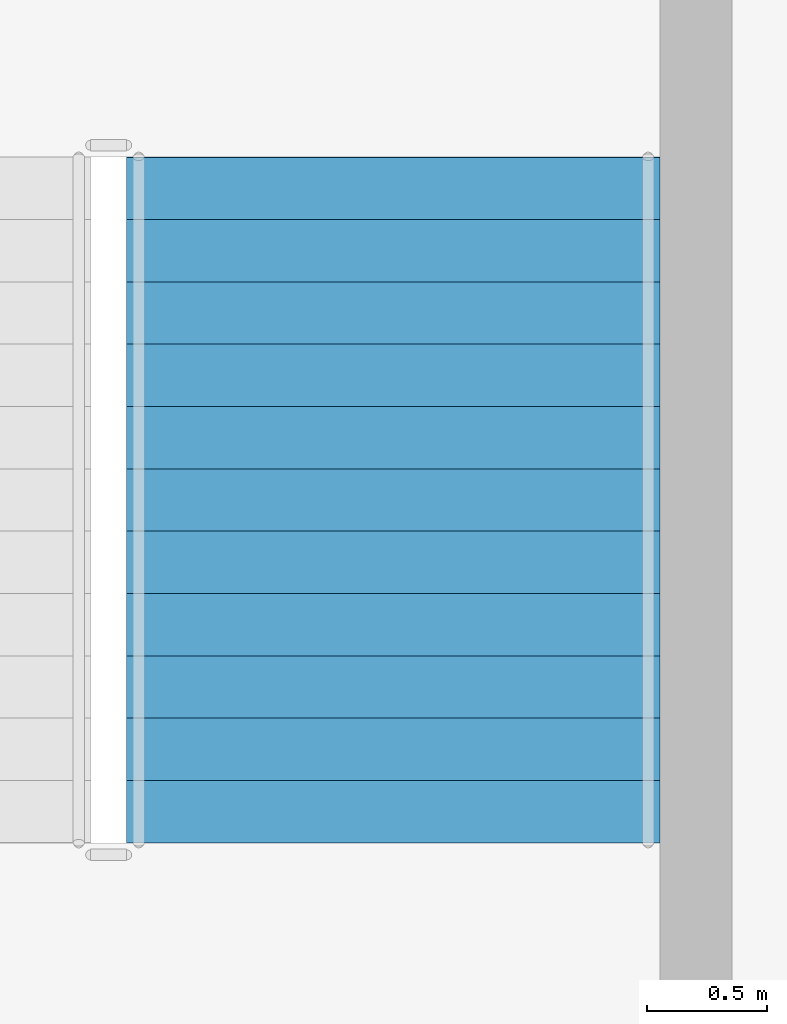
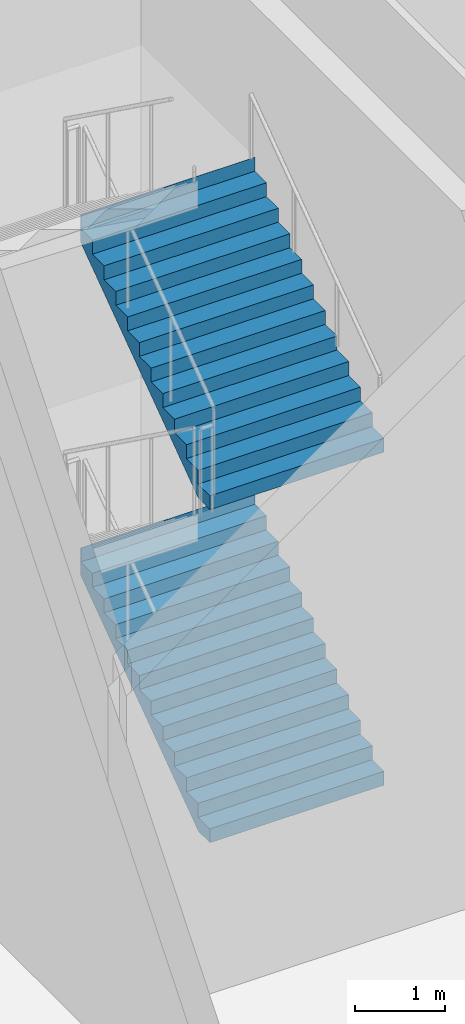
# One storey, part 24 of 35: 2 stair flights, 1 element without a shape of its own.
"""IFC4 building model written with IfcOpenShell, lengths in metres."""

from ifc_helpers import new_model, si_unit, direction, frame, origin, place, context, subcontext, project, spatial, triangles, material, type_object, element, aggregate, save


model = new_model("IFC4")

# Units and contexts
model_context = context("Model", 3, precision=1e-05, world=origin(), true_north=direction((0.0, 1.0)))
body_context = subcontext(model_context, "Body", "Model", "MODEL_VIEW")
ifc_project = project(units=[si_unit("LENGTHUNIT", "METRE"), si_unit("AREAUNIT", "SQUARE_METRE"), si_unit("VOLUMEUNIT", "CUBIC_METRE"), si_unit("PLANEANGLEUNIT", "RADIAN"), si_unit("MASSUNIT", "GRAM", prefix="KILO")], contexts=[model_context])

# Site, building, storey
site_placement = place(None, origin())
site = spatial("IfcSite", under=ifc_project, at=site_placement, CompositionType="ELEMENT")
building_placement = place(site_placement, origin())
building = spatial("IfcBuilding", under=site, at=building_placement, Name="Sahrelin Media Tower", CompositionType="ELEMENT")
storey_placement = place(building_placement, frame((0.0, 0.0, 8.0)))
storey = spatial("IfcBuildingStorey", under=building, at=storey_placement, Name="L01", CompositionType="ELEMENT", Elevation=8.0)

# Stair, stair flights
ifc_material = material(Name="Concrete C40/50", Category="concrete")
stair_type = type_object("IfcStairType", Name="Podium stair 2225", PredefinedType="HALF_TURN_STAIR", material=ifc_material)
stair_placement = place(storey_placement, origin())
stair = element("IfcStair", 1, at=stair_placement, inside=storey, type_object=stair_type, Name="L01 Podium stair PS2", PredefinedType="HALF_TURN_STAIR")
stair_flight_type = type_object("IfcStairFlightType", Name="Stair flight 2225", PredefinedType="STRAIGHT", material=ifc_material)
stair_flight_1_placement = place(storey_placement, frame((-9.46240234375, 30.625, 0.0), z_axis=(0.0, 0.0, 1.0), x_axis=(0.0, 1.0, 0.0)))
stair_flight_1 = element("IfcStairFlight", 2, at=stair_flight_1_placement, type_object=stair_flight_type, Name="PS2 flight 1", NumberOfRisers=12, NumberOfTreads=11, PredefinedType="STRAIGHT", RiserHeight=0.1875, TreadLength=0.26, context=body_context, shape_type="Tessellation", body=[
    triangles([(0.25634765625, 1.112548828125, 0.0), (0.25634765625, 0.794677734375, 0.0), (0.25634765625, 0.476806640625, 0.0), (0.25634765625, 0.158935546875, 0.0), (0.25634765625, -0.158935546875, 0.0), (0.25634765625, -0.476806640625, 0.0), (0.25634765625, -0.794677734375, 0.0), (0.25634765625, -1.112548828125, 0.0), (2.860107421875, 1.112548828125, 1.877685546875), (2.860107421875, 0.794677734375, 1.877685546875), (2.860107421875, 0.476806640625, 1.877685546875), (2.860107421875, 0.158935546875, 1.877685546875), (2.860107421875, -0.158935546875, 1.877685546875), (2.860107421875, -0.476806640625, 1.877685546875), (2.860107421875, -0.794677734375, 1.877685546875), (2.860107421875, -1.112548828125, 1.877685546875), (2.860107421875, 1.112548828125, 2.25), (2.860107421875, 0.794677734375, 2.25), (2.860107421875, 0.476806640625, 2.25), (2.860107421875, 0.158935546875, 2.25), (2.860107421875, -0.158935546875, 2.25), (2.860107421875, -0.476806640625, 2.25), (2.860107421875, -0.794677734375, 2.25), (2.860107421875, -1.112548828125, 2.25), (2.85791015625, 1.112548828125, 2.25), (2.85791015625, 0.794677734375, 2.25), (2.85791015625, 0.476806640625, 2.25), (2.85791015625, 0.158935546875, 2.25), (2.85791015625, -0.158935546875, 2.25), (2.85791015625, -0.476806640625, 2.25), (2.85791015625, -0.794677734375, 2.25), (2.85791015625, -1.112548828125, 2.25), (2.85791015625, 1.112548828125, 2.0625), (2.85791015625, 0.794677734375, 2.0625), (2.85791015625, 0.476806640625, 2.0625), (2.85791015625, 0.158935546875, 2.0625), (2.85791015625, -0.158935546875, 2.0625), (2.85791015625, -0.476806640625, 2.0625), (2.85791015625, -0.794677734375, 2.0625), (2.85791015625, -1.112548828125, 2.0625), (2.60009765625, 1.112548828125, 2.0625), (2.60009765625, 0.794677734375, 2.0625), (2.60009765625, 0.476806640625, 2.0625), (2.60009765625, 0.158935546875, 2.0625), (2.60009765625, -0.158935546875, 2.0625), (2.60009765625, -0.476806640625, 2.0625), (2.60009765625, -0.794677734375, 2.0625), (2.60009765625, -1.112548828125, 2.0625), (2.60009765625, 1.112548828125, 1.875), (2.60009765625, 0.794677734375, 1.875), (2.60009765625, 0.476806640625, 1.875), (2.60009765625, 0.158935546875, 1.875), (2.60009765625, -0.158935546875, 1.875), (2.60009765625, -0.476806640625, 1.875), (2.60009765625, -0.794677734375, 1.875), (2.60009765625, -1.112548828125, 1.875), (2.340087890625, 1.112548828125, 1.875), (2.340087890625, 0.794677734375, 1.875), (2.340087890625, 0.476806640625, 1.875), (2.340087890625, 0.158935546875, 1.875), (2.340087890625, -0.158935546875, 1.875), (2.340087890625, -0.476806640625, 1.875), (2.340087890625, -0.794677734375, 1.875), (2.340087890625, -1.112548828125, 1.875), (2.340087890625, 1.112548828125, 1.6875), (2.340087890625, 0.794677734375, 1.6875), (2.340087890625, 0.476806640625, 1.6875), (2.340087890625, 0.158935546875, 1.6875), (2.340087890625, -0.158935546875, 1.6875), (2.340087890625, -0.476806640625, 1.6875), (2.340087890625, -0.794677734375, 1.6875), (2.340087890625, -1.112548828125, 1.6875), (2.080078125, 1.112548828125, 1.6875), (2.080078125, 0.794677734375, 1.6875), (2.080078125, 0.476806640625, 1.6875), (2.080078125, 0.158935546875, 1.6875), (2.080078125, -0.158935546875, 1.6875), (2.080078125, -0.476806640625, 1.6875), (2.080078125, -0.794677734375, 1.6875), (2.080078125, -1.112548828125, 1.6875), (2.080078125, 1.112548828125, 1.5), (2.080078125, 0.794677734375, 1.5), (2.080078125, 0.476806640625, 1.5), (2.080078125, 0.158935546875, 1.5), (2.080078125, -0.158935546875, 1.5), (2.080078125, -0.476806640625, 1.5), (2.080078125, -0.794677734375, 1.5), (2.080078125, -1.112548828125, 1.5), (1.820068359375, 1.112548828125, 1.5), (1.820068359375, 0.794677734375, 1.5), (1.820068359375, 0.476806640625, 1.5), (1.820068359375, 0.158935546875, 1.5), (1.820068359375, -0.158935546875, 1.5), (1.820068359375, -0.476806640625, 1.5), (1.820068359375, -0.794677734375, 1.5), (1.820068359375, -1.112548828125, 1.5), (1.820068359375, 1.112548828125, 1.3125), (1.820068359375, 0.794677734375, 1.3125), (1.820068359375, 0.476806640625, 1.3125), (1.820068359375, 0.158935546875, 1.3125), (1.820068359375, -0.158935546875, 1.3125), (1.820068359375, -0.476806640625, 1.3125), (1.820068359375, -0.794677734375, 1.3125), (1.820068359375, -1.112548828125, 1.3125), (1.56005859375, 1.112548828125, 1.3125), (1.56005859375, 0.794677734375, 1.3125), (1.56005859375, 0.476806640625, 1.3125), (1.56005859375, 0.158935546875, 1.3125), (1.56005859375, -0.158935546875, 1.3125), (1.56005859375, -0.476806640625, 1.3125), (1.56005859375, -0.794677734375, 1.3125), (1.56005859375, -1.112548828125, 1.3125), (1.56005859375, 1.112548828125, 1.125), (1.56005859375, 0.794677734375, 1.125), (1.56005859375, 0.476806640625, 1.125), (1.56005859375, 0.158935546875, 1.125), (1.56005859375, -0.158935546875, 1.125), (1.56005859375, -0.476806640625, 1.125), (1.56005859375, -0.794677734375, 1.125), (1.56005859375, -1.112548828125, 1.125), (1.300048828125, 1.112548828125, 1.125), (1.300048828125, 0.794677734375, 1.125), (1.300048828125, 0.476806640625, 1.125), (1.300048828125, 0.158935546875, 1.125), (1.300048828125, -0.158935546875, 1.125), (1.300048828125, -0.476806640625, 1.125), (1.300048828125, -0.794677734375, 1.125), (1.300048828125, -1.112548828125, 1.125), (1.300048828125, 1.112548828125, 0.9375), (1.300048828125, 0.794677734375, 0.9375), (1.300048828125, 0.476806640625, 0.9375), (1.300048828125, 0.158935546875, 0.9375), (1.300048828125, -0.158935546875, 0.9375), (1.300048828125, -0.476806640625, 0.9375), (1.300048828125, -0.794677734375, 0.9375), (1.300048828125, -1.112548828125, 0.9375), (1.0400390625, 1.112548828125, 0.9375), (1.0400390625, 0.794677734375, 0.9375), (1.0400390625, 0.476806640625, 0.9375), (1.0400390625, 0.158935546875, 0.9375), (1.0400390625, -0.158935546875, 0.9375), (1.0400390625, -0.476806640625, 0.9375), (1.0400390625, -0.794677734375, 0.9375), (1.0400390625, -1.112548828125, 0.9375), (1.0400390625, 1.112548828125, 0.75), (1.0400390625, 0.794677734375, 0.75), (1.0400390625, 0.476806640625, 0.75), (1.0400390625, 0.158935546875, 0.75), (1.0400390625, -0.158935546875, 0.75), (1.0400390625, -0.476806640625, 0.75), (1.0400390625, -0.794677734375, 0.75), (1.0400390625, -1.112548828125, 0.75), (0.780029296875, 1.112548828125, 0.75), (0.780029296875, 0.794677734375, 0.75), (0.780029296875, 0.476806640625, 0.75), (0.780029296875, 0.158935546875, 0.75), (0.780029296875, -0.158935546875, 0.75), (0.780029296875, -0.476806640625, 0.75), (0.780029296875, -0.794677734375, 0.75), (0.780029296875, -1.112548828125, 0.75), (0.780029296875, 1.112548828125, 0.5625), (0.780029296875, 0.794677734375, 0.5625), (0.780029296875, 0.476806640625, 0.5625), (0.780029296875, 0.158935546875, 0.5625), (0.780029296875, -0.158935546875, 0.5625), (0.780029296875, -0.476806640625, 0.5625), (0.780029296875, -0.794677734375, 0.5625), (0.780029296875, -1.112548828125, 0.5625), (0.52001953125, 1.112548828125, 0.5625), (0.52001953125, 0.794677734375, 0.5625), (0.52001953125, 0.476806640625, 0.5625), (0.52001953125, 0.158935546875, 0.5625), (0.52001953125, -0.158935546875, 0.5625), (0.52001953125, -0.476806640625, 0.5625), (0.52001953125, -0.794677734375, 0.5625), (0.52001953125, -1.112548828125, 0.5625), (0.52001953125, 1.112548828125, 0.375), (0.52001953125, 0.794677734375, 0.375), (0.52001953125, 0.476806640625, 0.375), (0.52001953125, 0.158935546875, 0.375), (0.52001953125, -0.158935546875, 0.375), (0.52001953125, -0.476806640625, 0.375), (0.52001953125, -0.794677734375, 0.375), (0.52001953125, -1.112548828125, 0.375), (0.260009765625, 1.112548828125, 0.375), (0.260009765625, 0.794677734375, 0.375), (0.260009765625, 0.476806640625, 0.375), (0.260009765625, 0.158935546875, 0.375), (0.260009765625, -0.158935546875, 0.375), (0.260009765625, -0.476806640625, 0.375), (0.260009765625, -0.794677734375, 0.375), (0.260009765625, -1.112548828125, 0.375), (0.260009765625, 1.112548828125, 0.1875), (0.260009765625, 0.794677734375, 0.1875), (0.260009765625, 0.476806640625, 0.1875), (0.260009765625, 0.158935546875, 0.1875), (0.260009765625, -0.158935546875, 0.1875), (0.260009765625, -0.476806640625, 0.1875), (0.260009765625, -0.794677734375, 0.1875), (0.260009765625, -1.112548828125, 0.1875), (0.0, 1.112548828125, 0.1875), (0.0, 0.794677734375, 0.1875), (0.0, 0.476806640625, 0.1875), (0.0, 0.158935546875, 0.1875), (0.0, -0.158935546875, 0.1875), (0.0, -0.476806640625, 0.1875), (0.0, -0.794677734375, 0.1875), (0.0, -1.112548828125, 0.1875), (0.0, 1.112548828125, 0.0), (0.0, 0.794677734375, 0.0), (0.0, 0.476806640625, 0.0), (0.0, 0.158935546875, 0.0), (0.0, -0.158935546875, 0.0), (0.0, -0.476806640625, 0.0), (0.0, -0.794677734375, 0.0), (0.0, -1.112548828125, 0.0)], [[1, 9, 10], [1, 10, 2], [2, 10, 11], [2, 11, 3], [3, 11, 12], [3, 12, 4], [4, 12, 13], [4, 13, 5], [5, 13, 14], [5, 14, 6], [6, 14, 15], [6, 15, 7], [7, 15, 16], [7, 16, 8], [9, 17, 18], [9, 18, 10], [10, 18, 19], [10, 19, 11], [11, 19, 20], [11, 20, 12], [12, 20, 21], [12, 21, 13], [13, 21, 22], [13, 22, 14], [14, 22, 23], [14, 23, 15], [15, 23, 24], [15, 24, 16], [17, 25, 26], [17, 26, 18], [18, 26, 27], [18, 27, 19], [19, 27, 28], [19, 28, 20], [20, 28, 29], [20, 29, 21], [21, 29, 30], [21, 30, 22], [22, 30, 31], [22, 31, 23], [23, 31, 32], [23, 32, 24], [25, 33, 34], [25, 34, 26], [26, 34, 35], [26, 35, 27], [27, 35, 36], [27, 36, 28], [28, 36, 37], [28, 37, 29], [29, 37, 38], [29, 38, 30], [30, 38, 39], [30, 39, 31], [31, 39, 40], [31, 40, 32], [33, 41, 42], [33, 42, 34], [34, 42, 43], [34, 43, 35], [35, 43, 44], [35, 44, 36], [36, 44, 45], [36, 45, 37], [37, 45, 46], [37, 46, 38], [38, 46, 47], [38, 47, 39], [39, 47, 48], [39, 48, 40], [41, 49, 50], [41, 50, 42], [42, 50, 51], [42, 51, 43], [43, 51, 52], [43, 52, 44], [44, 52, 53], [44, 53, 45], [45, 53, 54], [45, 54, 46], [46, 54, 55], [46, 55, 47], [47, 55, 56], [47, 56, 48], [49, 57, 58], [49, 58, 50], [50, 58, 59], [50, 59, 51], [51, 59, 60], [51, 60, 52], [52, 60, 61], [52, 61, 53], [53, 61, 62], [53, 62, 54], [54, 62, 63], [54, 63, 55], [55, 63, 64], [55, 64, 56], [57, 65, 66], [57, 66, 58], [58, 66, 67], [58, 67, 59], [59, 67, 68], [59, 68, 60], [60, 68, 69], [60, 69, 61], [61, 69, 70], [61, 70, 62], [62, 70, 71], [62, 71, 63], [63, 71, 72], [63, 72, 64], [65, 73, 74], [65, 74, 66], [66, 74, 75], [66, 75, 67], [67, 75, 76], [67, 76, 68], [68, 76, 77], [68, 77, 69], [69, 77, 78], [69, 78, 70], [70, 78, 79], [70, 79, 71], [71, 79, 80], [71, 80, 72], [73, 81, 82], [73, 82, 74], [74, 82, 83], [74, 83, 75], [75, 83, 84], [75, 84, 76], [76, 84, 85], [76, 85, 77], [77, 85, 86], [77, 86, 78], [78, 86, 87], [78, 87, 79], [79, 87, 88], [79, 88, 80], [81, 89, 90], [81, 90, 82], [82, 90, 91], [82, 91, 83], [83, 91, 92], [83, 92, 84], [84, 92, 93], [84, 93, 85], [85, 93, 94], [85, 94, 86], [86, 94, 95], [86, 95, 87], [87, 95, 96], [87, 96, 88], [89, 97, 98], [89, 98, 90], [90, 98, 99], [90, 99, 91], [91, 99, 100], [91, 100, 92], [92, 100, 101], [92, 101, 93], [93, 101, 102], [93, 102, 94], [94, 102, 103], [94, 103, 95], [95, 103, 104], [95, 104, 96], [97, 105, 106], [97, 106, 98], [98, 106, 107], [98, 107, 99], [99, 107, 108], [99, 108, 100], [100, 108, 109], [100, 109, 101], [101, 109, 110], [101, 110, 102], [102, 110, 111], [102, 111, 103], [103, 111, 112], [103, 112, 104], [105, 113, 114], [105, 114, 106], [106, 114, 115], [106, 115, 107], [107, 115, 116], [107, 116, 108], [108, 116, 117], [108, 117, 109], [109, 117, 118], [109, 118, 110], [110, 118, 119], [110, 119, 111], [111, 119, 120], [111, 120, 112], [113, 121, 122], [113, 122, 114], [114, 122, 123], [114, 123, 115], [115, 123, 124], [115, 124, 116], [116, 124, 125], [116, 125, 117], [117, 125, 126], [117, 126, 118], [118, 126, 127], [118, 127, 119], [119, 127, 128], [119, 128, 120], [121, 129, 130], [121, 130, 122], [122, 130, 131], [122, 131, 123], [123, 131, 132], [123, 132, 124], [124, 132, 133], [124, 133, 125], [125, 133, 134], [125, 134, 126], [126, 134, 135], [126, 135, 127], [127, 135, 136], [127, 136, 128], [129, 137, 138], [129, 138, 130], [130, 138, 139], [130, 139, 131], [131, 139, 140], [131, 140, 132], [132, 140, 141], [132, 141, 133], [133, 141, 142], [133, 142, 134], [134, 142, 143], [134, 143, 135], [135, 143, 144], [135, 144, 136], [137, 145, 146], [137, 146, 138], [138, 146, 147], [138, 147, 139], [139, 147, 148], [139, 148, 140], [140, 148, 149], [140, 149, 141], [141, 149, 150], [141, 150, 142], [142, 150, 151], [142, 151, 143], [143, 151, 152], [143, 152, 144], [145, 153, 154], [145, 154, 146], [146, 154, 155], [146, 155, 147], [147, 155, 156], [147, 156, 148], [148, 156, 157], [148, 157, 149], [149, 157, 158], [149, 158, 150], [150, 158, 159], [150, 159, 151], [151, 159, 160], [151, 160, 152], [153, 161, 162], [153, 162, 154], [154, 162, 163], [154, 163, 155], [155, 163, 164], [155, 164, 156], [156, 164, 165], [156, 165, 157], [157, 165, 166], [157, 166, 158], [158, 166, 167], [158, 167, 159], [159, 167, 168], [159, 168, 160], [161, 169, 170], [161, 170, 162], [162, 170, 171], [162, 171, 163], [163, 171, 172], [163, 172, 164], [164, 172, 173], [164, 173, 165], [165, 173, 174], [165, 174, 166], [166, 174, 175], [166, 175, 167], [167, 175, 176], [167, 176, 168], [169, 177, 178], [169, 178, 170], [170, 178, 179], [170, 179, 171], [171, 179, 180], [171, 180, 172], [172, 180, 181], [172, 181, 173], [173, 181, 182], [173, 182, 174], [174, 182, 183], [174, 183, 175], [175, 183, 184], [175, 184, 176], [177, 185, 186], [177, 186, 178], [178, 186, 187], [178, 187, 179], [179, 187, 188], [179, 188, 180], [180, 188, 189], [180, 189, 181], [181, 189, 190], [181, 190, 182], [182, 190, 191], [182, 191, 183], [183, 191, 192], [183, 192, 184], [185, 193, 194], [185, 194, 186], [186, 194, 195], [186, 195, 187], [187, 195, 196], [187, 196, 188], [188, 196, 197], [188, 197, 189], [189, 197, 198], [189, 198, 190], [190, 198, 199], [190, 199, 191], [191, 199, 200], [191, 200, 192], [193, 201, 202], [193, 202, 194], [194, 202, 203], [194, 203, 195], [195, 203, 204], [195, 204, 196], [196, 204, 205], [196, 205, 197], [197, 205, 206], [197, 206, 198], [198, 206, 207], [198, 207, 199], [199, 207, 208], [199, 208, 200], [201, 209, 210], [201, 210, 202], [202, 210, 211], [202, 211, 203], [203, 211, 212], [203, 212, 204], [204, 212, 213], [204, 213, 205], [205, 213, 214], [205, 214, 206], [206, 214, 215], [206, 215, 207], [207, 215, 216], [207, 216, 208], [209, 1, 2], [209, 2, 210], [210, 2, 3], [210, 3, 211], [211, 3, 4], [211, 4, 212], [212, 4, 5], [212, 5, 213], [213, 5, 6], [213, 6, 214], [214, 6, 7], [214, 7, 215], [215, 7, 8], [215, 8, 216], [8, 208, 216], [1, 209, 201], [200, 184, 192], [193, 185, 177], [184, 168, 176], [177, 169, 161], [168, 152, 160], [161, 153, 145], [152, 136, 144], [145, 137, 129], [136, 120, 128], [129, 121, 113], [120, 104, 112], [113, 105, 97], [104, 88, 96], [97, 89, 81], [88, 72, 80], [81, 73, 65], [72, 56, 64], [65, 57, 49], [56, 40, 48], [49, 41, 33], [40, 24, 32], [33, 25, 17], [8, 200, 208], [1, 201, 193], [16, 56, 72], [9, 65, 49], [40, 16, 24], [33, 17, 9], [184, 200, 8], [177, 1, 193], [56, 16, 40], [49, 33, 9], [168, 184, 8], [161, 1, 177], [72, 88, 16], [65, 9, 81], [152, 168, 8], [145, 1, 161], [104, 16, 88], [97, 81, 9], [136, 152, 8], [129, 1, 145], [120, 16, 104], [113, 97, 9], [120, 136, 8], [113, 1, 129], [8, 16, 120], [1, 113, 9]], closed=True),
])
stair_flight_2_placement = place(storey_placement, frame((-9.46240234375, 30.625, 4.5), z_axis=(0.0, 0.0, 1.0), x_axis=(0.0, 1.0, 0.0)))
stair_flight_2 = element("IfcStairFlight", 3, at=stair_flight_2_placement, type_object=stair_flight_type, Name="PS2 flight 3", NumberOfRisers=12, NumberOfTreads=11, PredefinedType="STRAIGHT", RiserHeight=0.1875, TreadLength=0.26, context=body_context, shape_type="Tessellation", body=[
    triangles([(0.25634765625, 1.112548828125, 0.0), (0.25634765625, 0.794677734375, 0.0), (0.25634765625, 0.476806640625, 0.0), (0.25634765625, 0.158935546875, 0.0), (0.25634765625, -0.158935546875, 0.0), (0.25634765625, -0.476806640625, 0.0), (0.25634765625, -0.794677734375, 0.0), (0.25634765625, -1.112548828125, 0.0), (2.860107421875, 1.112548828125, 1.877685546875), (2.860107421875, 0.794677734375, 1.877685546875), (2.860107421875, 0.476806640625, 1.877685546875), (2.860107421875, 0.158935546875, 1.877685546875), (2.860107421875, -0.158935546875, 1.877685546875), (2.860107421875, -0.476806640625, 1.877685546875), (2.860107421875, -0.794677734375, 1.877685546875), (2.860107421875, -1.112548828125, 1.877685546875), (2.860107421875, 1.112548828125, 2.25), (2.860107421875, 0.794677734375, 2.25), (2.860107421875, 0.476806640625, 2.25), (2.860107421875, 0.158935546875, 2.25), (2.860107421875, -0.158935546875, 2.25), (2.860107421875, -0.476806640625, 2.25), (2.860107421875, -0.794677734375, 2.25), (2.860107421875, -1.112548828125, 2.25), (2.85791015625, 1.112548828125, 2.25), (2.85791015625, 0.794677734375, 2.25), (2.85791015625, 0.476806640625, 2.25), (2.85791015625, 0.158935546875, 2.25), (2.85791015625, -0.158935546875, 2.25), (2.85791015625, -0.476806640625, 2.25), (2.85791015625, -0.794677734375, 2.25), (2.85791015625, -1.112548828125, 2.25), (2.85791015625, 1.112548828125, 2.0625), (2.85791015625, 0.794677734375, 2.0625), (2.85791015625, 0.476806640625, 2.0625), (2.85791015625, 0.158935546875, 2.0625), (2.85791015625, -0.158935546875, 2.0625), (2.85791015625, -0.476806640625, 2.0625), (2.85791015625, -0.794677734375, 2.0625), (2.85791015625, -1.112548828125, 2.0625), (2.60009765625, 1.112548828125, 2.0625), (2.60009765625, 0.794677734375, 2.0625), (2.60009765625, 0.476806640625, 2.0625), (2.60009765625, 0.158935546875, 2.0625), (2.60009765625, -0.158935546875, 2.0625), (2.60009765625, -0.476806640625, 2.0625), (2.60009765625, -0.794677734375, 2.0625), (2.60009765625, -1.112548828125, 2.0625), (2.60009765625, 1.112548828125, 1.875), (2.60009765625, 0.794677734375, 1.875), (2.60009765625, 0.476806640625, 1.875), (2.60009765625, 0.158935546875, 1.875), (2.60009765625, -0.158935546875, 1.875), (2.60009765625, -0.476806640625, 1.875), (2.60009765625, -0.794677734375, 1.875), (2.60009765625, -1.112548828125, 1.875), (2.340087890625, 1.112548828125, 1.875), (2.340087890625, 0.794677734375, 1.875), (2.340087890625, 0.476806640625, 1.875), (2.340087890625, 0.158935546875, 1.875), (2.340087890625, -0.158935546875, 1.875), (2.340087890625, -0.476806640625, 1.875), (2.340087890625, -0.794677734375, 1.875), (2.340087890625, -1.112548828125, 1.875), (2.340087890625, 1.112548828125, 1.6875), (2.340087890625, 0.794677734375, 1.6875), (2.340087890625, 0.476806640625, 1.6875), (2.340087890625, 0.158935546875, 1.6875), (2.340087890625, -0.158935546875, 1.6875), (2.340087890625, -0.476806640625, 1.6875), (2.340087890625, -0.794677734375, 1.6875), (2.340087890625, -1.112548828125, 1.6875), (2.080078125, 1.112548828125, 1.6875), (2.080078125, 0.794677734375, 1.6875), (2.080078125, 0.476806640625, 1.6875), (2.080078125, 0.158935546875, 1.6875), (2.080078125, -0.158935546875, 1.6875), (2.080078125, -0.476806640625, 1.6875), (2.080078125, -0.794677734375, 1.6875), (2.080078125, -1.112548828125, 1.6875), (2.080078125, 1.112548828125, 1.5), (2.080078125, 0.794677734375, 1.5), (2.080078125, 0.476806640625, 1.5), (2.080078125, 0.158935546875, 1.5), (2.080078125, -0.158935546875, 1.5), (2.080078125, -0.476806640625, 1.5), (2.080078125, -0.794677734375, 1.5), (2.080078125, -1.112548828125, 1.5), (1.820068359375, 1.112548828125, 1.5), (1.820068359375, 0.794677734375, 1.5), (1.820068359375, 0.476806640625, 1.5), (1.820068359375, 0.158935546875, 1.5), (1.820068359375, -0.158935546875, 1.5), (1.820068359375, -0.476806640625, 1.5), (1.820068359375, -0.794677734375, 1.5), (1.820068359375, -1.112548828125, 1.5), (1.820068359375, 1.112548828125, 1.3125), (1.820068359375, 0.794677734375, 1.3125), (1.820068359375, 0.476806640625, 1.3125), (1.820068359375, 0.158935546875, 1.3125), (1.820068359375, -0.158935546875, 1.3125), (1.820068359375, -0.476806640625, 1.3125), (1.820068359375, -0.794677734375, 1.3125), (1.820068359375, -1.112548828125, 1.3125), (1.56005859375, 1.112548828125, 1.3125), (1.56005859375, 0.794677734375, 1.3125), (1.56005859375, 0.476806640625, 1.3125), (1.56005859375, 0.158935546875, 1.3125), (1.56005859375, -0.158935546875, 1.3125), (1.56005859375, -0.476806640625, 1.3125), (1.56005859375, -0.794677734375, 1.3125), (1.56005859375, -1.112548828125, 1.3125), (1.56005859375, 1.112548828125, 1.125), (1.56005859375, 0.794677734375, 1.125), (1.56005859375, 0.476806640625, 1.125), (1.56005859375, 0.158935546875, 1.125), (1.56005859375, -0.158935546875, 1.125), (1.56005859375, -0.476806640625, 1.125), (1.56005859375, -0.794677734375, 1.125), (1.56005859375, -1.112548828125, 1.125), (1.300048828125, 1.112548828125, 1.125), (1.300048828125, 0.794677734375, 1.125), (1.300048828125, 0.476806640625, 1.125), (1.300048828125, 0.158935546875, 1.125), (1.300048828125, -0.158935546875, 1.125), (1.300048828125, -0.476806640625, 1.125), (1.300048828125, -0.794677734375, 1.125), (1.300048828125, -1.112548828125, 1.125), (1.300048828125, 1.112548828125, 0.9375), (1.300048828125, 0.794677734375, 0.9375), (1.300048828125, 0.476806640625, 0.9375), (1.300048828125, 0.158935546875, 0.9375), (1.300048828125, -0.158935546875, 0.9375), (1.300048828125, -0.476806640625, 0.9375), (1.300048828125, -0.794677734375, 0.9375), (1.300048828125, -1.112548828125, 0.9375), (1.0400390625, 1.112548828125, 0.9375), (1.0400390625, 0.794677734375, 0.9375), (1.0400390625, 0.476806640625, 0.9375), (1.0400390625, 0.158935546875, 0.9375), (1.0400390625, -0.158935546875, 0.9375), (1.0400390625, -0.476806640625, 0.9375), (1.0400390625, -0.794677734375, 0.9375), (1.0400390625, -1.112548828125, 0.9375), (1.0400390625, 1.112548828125, 0.75), (1.0400390625, 0.794677734375, 0.75), (1.0400390625, 0.476806640625, 0.75), (1.0400390625, 0.158935546875, 0.75), (1.0400390625, -0.158935546875, 0.75), (1.0400390625, -0.476806640625, 0.75), (1.0400390625, -0.794677734375, 0.75), (1.0400390625, -1.112548828125, 0.75), (0.780029296875, 1.112548828125, 0.75), (0.780029296875, 0.794677734375, 0.75), (0.780029296875, 0.476806640625, 0.75), (0.780029296875, 0.158935546875, 0.75), (0.780029296875, -0.158935546875, 0.75), (0.780029296875, -0.476806640625, 0.75), (0.780029296875, -0.794677734375, 0.75), (0.780029296875, -1.112548828125, 0.75), (0.780029296875, 1.112548828125, 0.5625), (0.780029296875, 0.794677734375, 0.5625), (0.780029296875, 0.476806640625, 0.5625), (0.780029296875, 0.158935546875, 0.5625), (0.780029296875, -0.158935546875, 0.5625), (0.780029296875, -0.476806640625, 0.5625), (0.780029296875, -0.794677734375, 0.5625), (0.780029296875, -1.112548828125, 0.5625), (0.52001953125, 1.112548828125, 0.5625), (0.52001953125, 0.794677734375, 0.5625), (0.52001953125, 0.476806640625, 0.5625), (0.52001953125, 0.158935546875, 0.5625), (0.52001953125, -0.158935546875, 0.5625), (0.52001953125, -0.476806640625, 0.5625), (0.52001953125, -0.794677734375, 0.5625), (0.52001953125, -1.112548828125, 0.5625), (0.52001953125, 1.112548828125, 0.375), (0.52001953125, 0.794677734375, 0.375), (0.52001953125, 0.476806640625, 0.375), (0.52001953125, 0.158935546875, 0.375), (0.52001953125, -0.158935546875, 0.375), (0.52001953125, -0.476806640625, 0.375), (0.52001953125, -0.794677734375, 0.375), (0.52001953125, -1.112548828125, 0.375), (0.260009765625, 1.112548828125, 0.375), (0.260009765625, 0.794677734375, 0.375), (0.260009765625, 0.476806640625, 0.375), (0.260009765625, 0.158935546875, 0.375), (0.260009765625, -0.158935546875, 0.375), (0.260009765625, -0.476806640625, 0.375), (0.260009765625, -0.794677734375, 0.375), (0.260009765625, -1.112548828125, 0.375), (0.260009765625, 1.112548828125, 0.1875), (0.260009765625, 0.794677734375, 0.1875), (0.260009765625, 0.476806640625, 0.1875), (0.260009765625, 0.158935546875, 0.1875), (0.260009765625, -0.158935546875, 0.1875), (0.260009765625, -0.476806640625, 0.1875), (0.260009765625, -0.794677734375, 0.1875), (0.260009765625, -1.112548828125, 0.1875), (0.0, 1.112548828125, 0.1875), (0.0, 0.794677734375, 0.1875), (0.0, 0.476806640625, 0.1875), (0.0, 0.158935546875, 0.1875), (0.0, -0.158935546875, 0.1875), (0.0, -0.476806640625, 0.1875), (0.0, -0.794677734375, 0.1875), (0.0, -1.112548828125, 0.1875), (0.0, 1.112548828125, 0.0), (0.0, 0.794677734375, 0.0), (0.0, 0.476806640625, 0.0), (0.0, 0.158935546875, 0.0), (0.0, -0.158935546875, 0.0), (0.0, -0.476806640625, 0.0), (0.0, -0.794677734375, 0.0), (0.0, -1.112548828125, 0.0)], [[1, 9, 10], [1, 10, 2], [2, 10, 11], [2, 11, 3], [3, 11, 12], [3, 12, 4], [4, 12, 13], [4, 13, 5], [5, 13, 14], [5, 14, 6], [6, 14, 15], [6, 15, 7], [7, 15, 16], [7, 16, 8], [9, 17, 18], [9, 18, 10], [10, 18, 19], [10, 19, 11], [11, 19, 20], [11, 20, 12], [12, 20, 21], [12, 21, 13], [13, 21, 22], [13, 22, 14], [14, 22, 23], [14, 23, 15], [15, 23, 24], [15, 24, 16], [17, 25, 26], [17, 26, 18], [18, 26, 27], [18, 27, 19], [19, 27, 28], [19, 28, 20], [20, 28, 29], [20, 29, 21], [21, 29, 30], [21, 30, 22], [22, 30, 31], [22, 31, 23], [23, 31, 32], [23, 32, 24], [25, 33, 34], [25, 34, 26], [26, 34, 35], [26, 35, 27], [27, 35, 36], [27, 36, 28], [28, 36, 37], [28, 37, 29], [29, 37, 38], [29, 38, 30], [30, 38, 39], [30, 39, 31], [31, 39, 40], [31, 40, 32], [33, 41, 42], [33, 42, 34], [34, 42, 43], [34, 43, 35], [35, 43, 44], [35, 44, 36], [36, 44, 45], [36, 45, 37], [37, 45, 46], [37, 46, 38], [38, 46, 47], [38, 47, 39], [39, 47, 48], [39, 48, 40], [41, 49, 50], [41, 50, 42], [42, 50, 51], [42, 51, 43], [43, 51, 52], [43, 52, 44], [44, 52, 53], [44, 53, 45], [45, 53, 54], [45, 54, 46], [46, 54, 55], [46, 55, 47], [47, 55, 56], [47, 56, 48], [49, 57, 58], [49, 58, 50], [50, 58, 59], [50, 59, 51], [51, 59, 60], [51, 60, 52], [52, 60, 61], [52, 61, 53], [53, 61, 62], [53, 62, 54], [54, 62, 63], [54, 63, 55], [55, 63, 64], [55, 64, 56], [57, 65, 66], [57, 66, 58], [58, 66, 67], [58, 67, 59], [59, 67, 68], [59, 68, 60], [60, 68, 69], [60, 69, 61], [61, 69, 70], [61, 70, 62], [62, 70, 71], [62, 71, 63], [63, 71, 72], [63, 72, 64], [65, 73, 74], [65, 74, 66], [66, 74, 75], [66, 75, 67], [67, 75, 76], [67, 76, 68], [68, 76, 77], [68, 77, 69], [69, 77, 78], [69, 78, 70], [70, 78, 79], [70, 79, 71], [71, 79, 80], [71, 80, 72], [73, 81, 82], [73, 82, 74], [74, 82, 83], [74, 83, 75], [75, 83, 84], [75, 84, 76], [76, 84, 85], [76, 85, 77], [77, 85, 86], [77, 86, 78], [78, 86, 87], [78, 87, 79], [79, 87, 88], [79, 88, 80], [81, 89, 90], [81, 90, 82], [82, 90, 91], [82, 91, 83], [83, 91, 92], [83, 92, 84], [84, 92, 93], [84, 93, 85], [85, 93, 94], [85, 94, 86], [86, 94, 95], [86, 95, 87], [87, 95, 96], [87, 96, 88], [89, 97, 98], [89, 98, 90], [90, 98, 99], [90, 99, 91], [91, 99, 100], [91, 100, 92], [92, 100, 101], [92, 101, 93], [93, 101, 102], [93, 102, 94], [94, 102, 103], [94, 103, 95], [95, 103, 104], [95, 104, 96], [97, 105, 106], [97, 106, 98], [98, 106, 107], [98, 107, 99], [99, 107, 108], [99, 108, 100], [100, 108, 109], [100, 109, 101], [101, 109, 110], [101, 110, 102], [102, 110, 111], [102, 111, 103], [103, 111, 112], [103, 112, 104], [105, 113, 114], [105, 114, 106], [106, 114, 115], [106, 115, 107], [107, 115, 116], [107, 116, 108], [108, 116, 117], [108, 117, 109], [109, 117, 118], [109, 118, 110], [110, 118, 119], [110, 119, 111], [111, 119, 120], [111, 120, 112], [113, 121, 122], [113, 122, 114], [114, 122, 123], [114, 123, 115], [115, 123, 124], [115, 124, 116], [116, 124, 125], [116, 125, 117], [117, 125, 126], [117, 126, 118], [118, 126, 127], [118, 127, 119], [119, 127, 128], [119, 128, 120], [121, 129, 130], [121, 130, 122], [122, 130, 131], [122, 131, 123], [123, 131, 132], [123, 132, 124], [124, 132, 133], [124, 133, 125], [125, 133, 134], [125, 134, 126], [126, 134, 135], [126, 135, 127], [127, 135, 136], [127, 136, 128], [129, 137, 138], [129, 138, 130], [130, 138, 139], [130, 139, 131], [131, 139, 140], [131, 140, 132], [132, 140, 141], [132, 141, 133], [133, 141, 142], [133, 142, 134], [134, 142, 143], [134, 143, 135], [135, 143, 144], [135, 144, 136], [137, 145, 146], [137, 146, 138], [138, 146, 147], [138, 147, 139], [139, 147, 148], [139, 148, 140], [140, 148, 149], [140, 149, 141], [141, 149, 150], [141, 150, 142], [142, 150, 151], [142, 151, 143], [143, 151, 152], [143, 152, 144], [145, 153, 154], [145, 154, 146], [146, 154, 155], [146, 155, 147], [147, 155, 156], [147, 156, 148], [148, 156, 157], [148, 157, 149], [149, 157, 158], [149, 158, 150], [150, 158, 159], [150, 159, 151], [151, 159, 160], [151, 160, 152], [153, 161, 162], [153, 162, 154], [154, 162, 163], [154, 163, 155], [155, 163, 164], [155, 164, 156], [156, 164, 165], [156, 165, 157], [157, 165, 166], [157, 166, 158], [158, 166, 167], [158, 167, 159], [159, 167, 168], [159, 168, 160], [161, 169, 170], [161, 170, 162], [162, 170, 171], [162, 171, 163], [163, 171, 172], [163, 172, 164], [164, 172, 173], [164, 173, 165], [165, 173, 174], [165, 174, 166], [166, 174, 175], [166, 175, 167], [167, 175, 176], [167, 176, 168], [169, 177, 178], [169, 178, 170], [170, 178, 179], [170, 179, 171], [171, 179, 180], [171, 180, 172], [172, 180, 181], [172, 181, 173], [173, 181, 182], [173, 182, 174], [174, 182, 183], [174, 183, 175], [175, 183, 184], [175, 184, 176], [177, 185, 186], [177, 186, 178], [178, 186, 187], [178, 187, 179], [179, 187, 188], [179, 188, 180], [180, 188, 189], [180, 189, 181], [181, 189, 190], [181, 190, 182], [182, 190, 191], [182, 191, 183], [183, 191, 192], [183, 192, 184], [185, 193, 194], [185, 194, 186], [186, 194, 195], [186, 195, 187], [187, 195, 196], [187, 196, 188], [188, 196, 197], [188, 197, 189], [189, 197, 198], [189, 198, 190], [190, 198, 199], [190, 199, 191], [191, 199, 200], [191, 200, 192], [193, 201, 202], [193, 202, 194], [194, 202, 203], [194, 203, 195], [195, 203, 204], [195, 204, 196], [196, 204, 205], [196, 205, 197], [197, 205, 206], [197, 206, 198], [198, 206, 207], [198, 207, 199], [199, 207, 208], [199, 208, 200], [201, 209, 210], [201, 210, 202], [202, 210, 211], [202, 211, 203], [203, 211, 212], [203, 212, 204], [204, 212, 213], [204, 213, 205], [205, 213, 214], [205, 214, 206], [206, 214, 215], [206, 215, 207], [207, 215, 216], [207, 216, 208], [209, 1, 2], [209, 2, 210], [210, 2, 3], [210, 3, 211], [211, 3, 4], [211, 4, 212], [212, 4, 5], [212, 5, 213], [213, 5, 6], [213, 6, 214], [214, 6, 7], [214, 7, 215], [215, 7, 8], [215, 8, 216], [8, 208, 216], [1, 209, 201], [200, 184, 192], [193, 185, 177], [184, 168, 176], [177, 169, 161], [168, 152, 160], [161, 153, 145], [152, 136, 144], [145, 137, 129], [136, 120, 128], [129, 121, 113], [120, 104, 112], [113, 105, 97], [104, 88, 96], [97, 89, 81], [88, 72, 80], [81, 73, 65], [72, 56, 64], [65, 57, 49], [56, 40, 48], [49, 41, 33], [40, 24, 32], [33, 25, 17], [8, 200, 208], [1, 201, 193], [16, 56, 72], [9, 65, 49], [40, 16, 24], [33, 17, 9], [184, 200, 8], [177, 1, 193], [56, 16, 40], [49, 33, 9], [168, 184, 8], [161, 1, 177], [72, 88, 16], [65, 9, 81], [152, 168, 8], [145, 1, 161], [104, 16, 88], [97, 81, 9], [136, 152, 8], [129, 1, 145], [120, 16, 104], [113, 97, 9], [120, 136, 8], [113, 1, 129], [8, 16, 120], [1, 113, 9]], closed=True),
])
aggregate(stair, [stair_flight_1, stair_flight_2])

save(model, "model.ifc")
